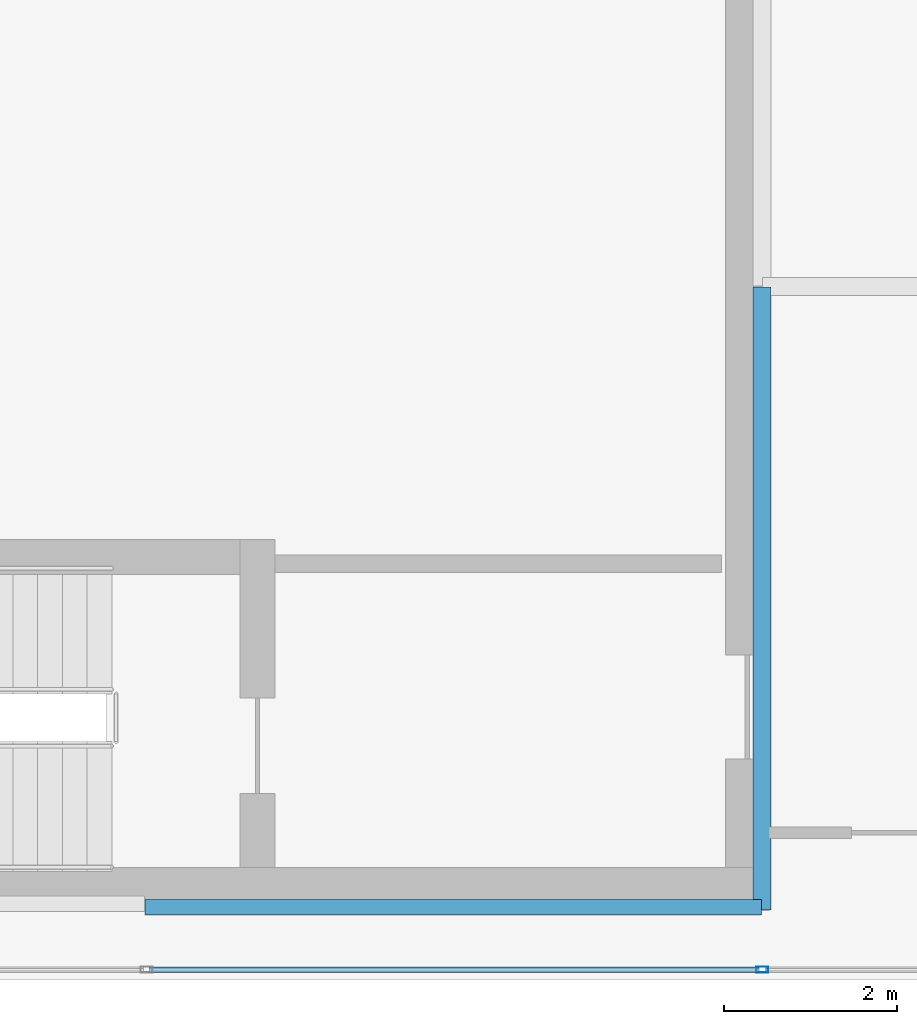
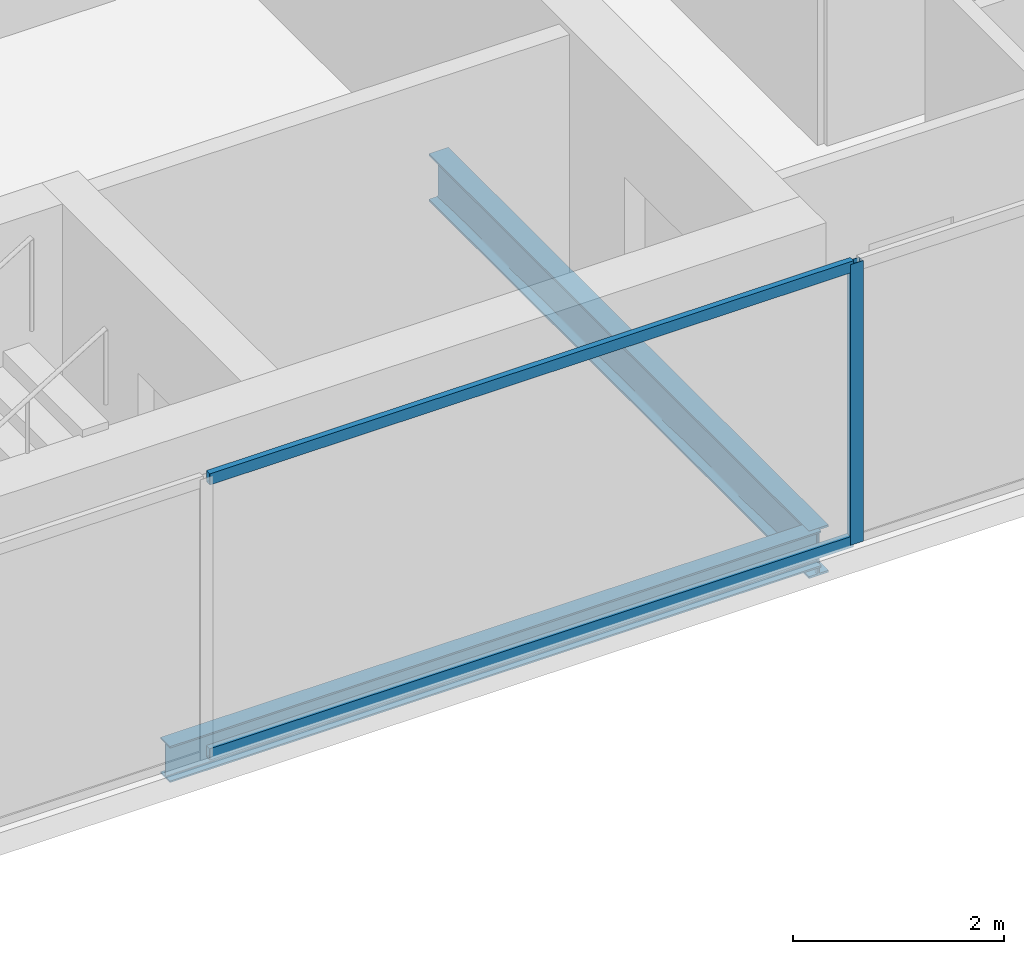
# One storey, part 3 of 24: 3 members, 2 beams, 1 element without a shape of its own.
"""IFC4 building model written with IfcOpenShell, lengths in metres."""

from ifc_helpers import new_model, si_unit, direction, frame, origin, origin_2d, place, context, subcontext, project, spatial, hollow_rectangle, i_section, extrude, material, material_profile, profile_set, type_object, element, aggregate, save


model = new_model("IFC4")

# Units and contexts
model_context = context("Model", 3, precision=1e-05, world=origin(), true_north=direction((0.0, 1.0)))
body_context = subcontext(model_context, "Body", "Model", "MODEL_VIEW")
ifc_project = project(units=[si_unit("LENGTHUNIT", "METRE"), si_unit("AREAUNIT", "SQUARE_METRE"), si_unit("VOLUMEUNIT", "CUBIC_METRE"), si_unit("PLANEANGLEUNIT", "RADIAN"), si_unit("MASSUNIT", "GRAM", prefix="KILO")], contexts=[model_context])

# Site, building, storey
site_placement = place(None, origin())
site = spatial("IfcSite", under=ifc_project, at=site_placement, CompositionType="ELEMENT")
building_placement = place(site_placement, origin())
building = spatial("IfcBuilding", under=site, at=building_placement, Name="Cobrela Telecom Tower", CompositionType="ELEMENT")
storey_placement = place(building_placement, frame((0.0, 0.0, 244.64990234375)))
storey = spatial("IfcBuildingStorey", under=building, at=storey_placement, Name="L63", CompositionType="ELEMENT", Elevation=244.64990234375)

# Beams
ifc_material_1 = material(Name="Steel ASTM A992 Grade 50", Category="steel")
ifc_material_profile_1 = material_profile(ifc_material_1, i_section(OverallWidth=0.212890625, OverallDepth=0.549072265625, WebThickness=0.0146484375, FlangeThickness=0.023681640625, FilletRadius=0.013916015625, at=origin_2d()), Name="W21X93")
ifc_profile_set_1 = profile_set([ifc_material_profile_1], Name="Steel ASTM A992 Grade 50")
beam_type_1 = type_object("IfcBeamType", Name="BM-GIRD-08", PredefinedType="USERDEFINED", material=ifc_profile_set_1)
beam_1_placement = place(storey_placement, frame((14.320068359375, 7.205078125, -0.534423828125), z_axis=(0.0, 1.0, 0.0), x_axis=(-1.0, 0.0, 0.0)))
element("IfcBeam", 1, at=beam_1_placement, inside=storey, type_object=beam_type_1, Name="L63 Primary Girder Y21", ObjectType="GIRDER", PredefinedType="USERDEFINED", context=body_context, shape_type="SweptSolid", body=[
    extrude(i_section(OverallWidth=0.212890625, OverallDepth=0.549072265625, WebThickness=0.0146484375, FlangeThickness=0.023681640625, FilletRadius=0.013916015625, at=origin_2d()), origin(), (0.0, 0.0, 1.0), 7.18994140625),
])
ifc_material_profile_2 = material_profile(ifc_material_1, i_section(OverallWidth=0.179931640625, OverallDepth=0.4169921875, WebThickness=0.010986328125, FlangeThickness=0.01806640625, FilletRadius=0.011962890625, at=origin_2d()), Name="W16X57")
ifc_profile_set_2 = profile_set([ifc_material_profile_2], Name="Steel ASTM A992 Grade 50")
beam_type_2 = type_object("IfcBeamType", Name="BM-SPAND-06", PredefinedType="SPANDREL", material=ifc_profile_set_2)
beam_2_placement = place(storey_placement, frame((7.205078125, 7.239990234375, -0.468505859375), z_axis=(1.0, 0.0, 0.0), x_axis=(0.0, 1.0, 0.0)))
element("IfcBeam", 2, at=beam_2_placement, inside=storey, type_object=beam_type_2, Name="L63 Perimeter Spandrel X02", PredefinedType="SPANDREL", context=body_context, shape_type="SweptSolid", body=[
    extrude(i_section(OverallWidth=0.179931640625, OverallDepth=0.4169921875, WebThickness=0.010986328125, FlangeThickness=0.01806640625, FilletRadius=0.011962890625, at=origin_2d()), origin(), (0.0, 0.0, 1.0), 7.10986328125),
])

# Curtain wall, members
ifc_material_2 = material(Name="Anodized Bronze Aluminium 6063-T6", Category="aluminium")
curtain_wall_type = type_object("IfcCurtainWallType", Name="CW-SYS-OFF-HI", PredefinedType="USERDEFINED", material=ifc_material_2)
curtain_wall_placement = place(storey_placement, origin())
curtain_wall = element("IfcCurtainWall", 3, at=curtain_wall_placement, inside=storey, type_object=curtain_wall_type, Name="L63 Unitised Bronze Curtain Wall 15", ObjectType="UNITISED CURTAIN WALL", PredefinedType="USERDEFINED")
ifc_material_profile_3 = material_profile(ifc_material_2, hollow_rectangle(XDim=0.070068359375, YDim=0.139892578125, WallThickness=0.00390625, at=origin_2d()), Name="ALU 70x140x4")
ifc_profile_set_3 = profile_set([ifc_material_profile_3], Name="Anodized Bronze Aluminium 6063-T6")
member_type_1 = type_object("IfcMemberType", Name="CW-SYS-OFF-HI-MUL", PredefinedType="MULLION", material=ifc_profile_set_3)
member_1_placement = place(storey_placement, frame((14.3232421875, 6.52001953125, 0.0), z_axis=(0.0, 0.0, 1.0), x_axis=(0.0, -1.0, 0.0)))
member_1 = element("IfcMember", 4, at=member_1_placement, type_object=member_type_1, Name="CW-OFF-HI mullion 5", PredefinedType="MULLION", context=body_context, shape_type="SweptSolid", body=[
    extrude(hollow_rectangle(XDim=0.070068359375, YDim=0.139892578125, WallThickness=0.00390625, at=origin_2d()), origin(), (0.0, 0.0, 1.0), 3.239990234375),
])
ifc_material_profile_4 = material_profile(ifc_material_2, hollow_rectangle(XDim=0.06494140625, YDim=0.1298828125, WallThickness=0.00390625, at=origin_2d()), Name="ALU 65x130x4")
ifc_profile_set_4 = profile_set([ifc_material_profile_4], Name="Anodized Bronze Aluminium 6063-T6")
member_type_2 = type_object("IfcMemberType", Name="CW-SYS-OFF-HI-TRN", PredefinedType="USERDEFINED", material=ifc_profile_set_4)
member_2_placement = place(storey_placement, frame((14.288330078125, 6.52001953125, 0.03271484375), z_axis=(-1.0, 0.0, 0.0), x_axis=(0.0, -1.0, 0.0)))
member_2 = element("IfcMember", 5, at=member_2_placement, type_object=member_type_2, Name="CW-OFF-HI transom 5.1", ObjectType="TRANSOM", PredefinedType="USERDEFINED", context=body_context, shape_type="SweptSolid", body=[
    extrude(hollow_rectangle(XDim=0.06494140625, YDim=0.1298828125, WallThickness=0.00390625, at=origin_2d()), origin(), (0.0, 0.0, 1.0), 7.03173828125),
])
member_3_placement = place(storey_placement, frame((14.288330078125, 6.52001953125, 3.20751953125), z_axis=(-1.0, 0.0, 0.0), x_axis=(0.0, -1.0, 0.0)))
member_3 = element("IfcMember", 6, at=member_3_placement, type_object=member_type_2, Name="CW-OFF-HI transom 5.2", ObjectType="TRANSOM", PredefinedType="USERDEFINED", context=body_context, shape_type="SweptSolid", body=[
    extrude(hollow_rectangle(XDim=0.06494140625, YDim=0.1298828125, WallThickness=0.00390625, at=origin_2d()), origin(), (0.0, 0.0, 1.0), 7.03173828125),
])
aggregate(curtain_wall, [member_1, member_2, member_3])

save(model, "model.ifc")
